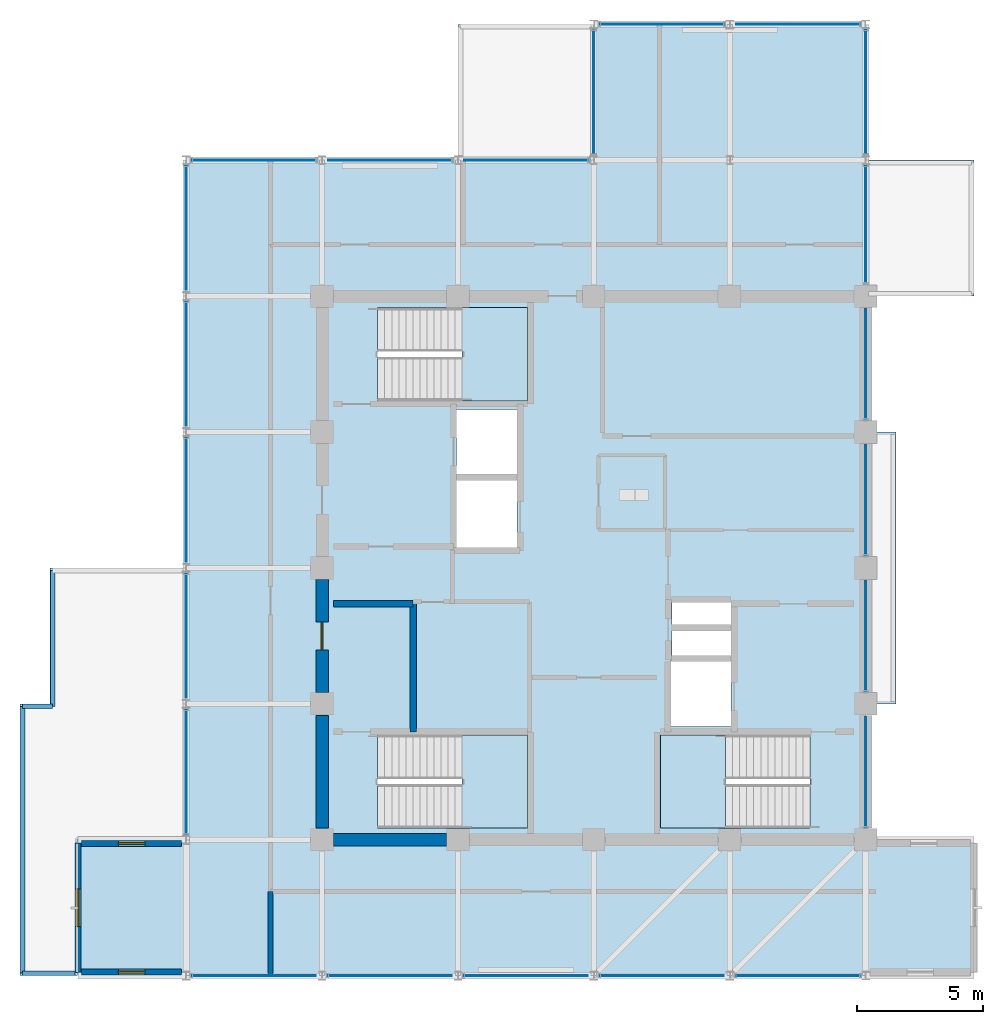
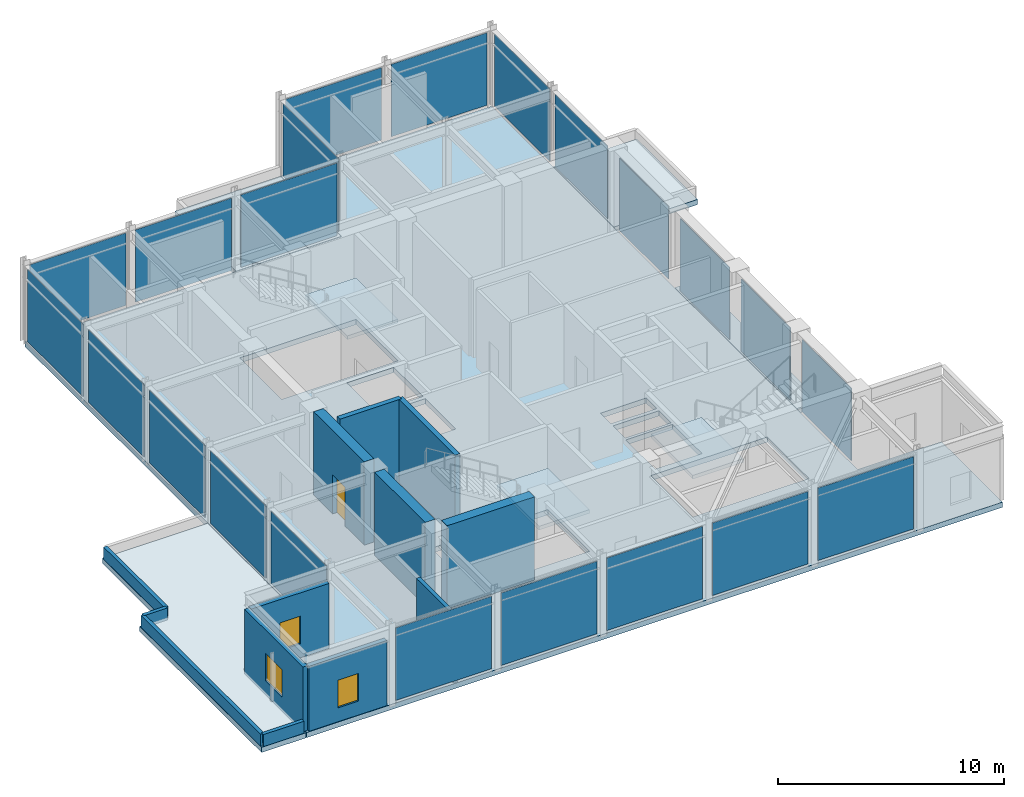
# One storey, part 12 of 18: 22 plates, 13 walls, 8 slabs, 3 windows, 1 door, 4 openings, 10 elements without a shape of their own.
"""IFC4 building model written with IfcOpenShell, lengths in metres."""

from ifc_helpers import new_model, si_unit, direction, frame, frame_2d, origin, place, context, subcontext, project, spatial, polyline, rectangle, outline, extrude, material, layer, layer_set, type_object, element, fill, aggregate, save


model = new_model("IFC4")

# Units and contexts
model_context = context("Model", 3, precision=1e-05, world=origin(), true_north=direction((0.0, 1.0)))
body_context = subcontext(model_context, "Body", "Model", "MODEL_VIEW")
ifc_project = project(units=[si_unit("LENGTHUNIT", "METRE"), si_unit("AREAUNIT", "SQUARE_METRE"), si_unit("VOLUMEUNIT", "CUBIC_METRE"), si_unit("PLANEANGLEUNIT", "RADIAN"), si_unit("MASSUNIT", "GRAM", prefix="KILO")], contexts=[model_context])

# Site, building, storey
site_placement = place(None, origin())
site = spatial("IfcSite", under=ifc_project, at=site_placement, CompositionType="ELEMENT")
building_placement = place(site_placement, origin())
building = spatial("IfcBuilding", under=site, at=building_placement, Name="Surkhivell Harbour Commons", CompositionType="ELEMENT")
storey_placement = place(building_placement, frame((0.0, 0.0, 351.0)))
storey = spatial("IfcBuildingStorey", under=building, at=storey_placement, Name="L91", CompositionType="ELEMENT", Elevation=351.0)

# Curtain wall, plate
ifc_material_1 = material(Name="Anodised pale-metal aluminium and insulated glazing", Category="aluminium")
ifc_layer_1 = layer(ifc_material_1, 0.22998046875)
ifc_layer_set_1 = layer_set([ifc_layer_1], Name="Anodised pale-metal aluminium and insulated glazing")
curtain_wall_type = type_object("IfcCurtainWallType", Name="CW-SYS-CRN", PredefinedType="NOTDEFINED", material=ifc_layer_set_1)
curtain_wall_1_placement = place(storey_placement, origin())
curtain_wall_1 = element("IfcCurtainWall", 1, at=curtain_wall_1_placement, inside=storey, type_object=curtain_wall_type, Name="L91 Curtain Wall CW-L91-C00S1", PredefinedType="NOTDEFINED")
ifc_material_2 = material(Name="Botanical conservatory clear low-iron glass", Category="glass")
ifc_layer_2 = layer(ifc_material_2, 0.033935546875)
ifc_layer_set_2 = layer_set([ifc_layer_2], Name="Botanical conservatory clear low-iron glass")
plate_type = type_object("IfcPlateType", Name="CWP-CRN-34", PredefinedType="CURTAIN_PANEL", material=ifc_layer_set_2)
plate_1_placement = place(storey_placement, frame((10.800048828125, 16.447021484375, 0.14990234375), z_axis=(0.0, 0.0, 1.0), x_axis=(0.0, 1.0, 0.0)))
plate_1 = element("IfcPlate", 2, at=plate_1_placement, type_object=plate_type, Name="CW-CRN panel 1.1", PredefinedType="CURTAIN_PANEL", context=body_context, shape_type="SweptSolid", body=[
    extrude(rectangle(XDim=4.906005859375, YDim=0.033935546875, at=frame_2d((2.453125, 0.0))), origin(), (0.0, 0.0, 1.0), 3.920166015625),
])
aggregate(curtain_wall_1, [plate_1])

# Curtain wall, plates
curtain_wall_2_placement = place(storey_placement, origin())
curtain_wall_2 = element("IfcCurtainWall", 3, at=curtain_wall_2_placement, inside=storey, type_object=curtain_wall_type, Name="L91 Curtain Wall CW-L91-C01", PredefinedType="NOTDEFINED")
plate_2_placement = place(storey_placement, frame((10.552978515625, 21.60009765625, 0.14990234375), z_axis=(0.0, 0.0, 1.0), x_axis=(-1.0, 0.0, 0.0)))
plate_2 = element("IfcPlate", 4, at=plate_2_placement, type_object=plate_type, Name="CW-CRN panel 1.1", PredefinedType="CURTAIN_PANEL", context=body_context, shape_type="SweptSolid", body=[
    extrude(rectangle(XDim=4.906005859375, YDim=0.033935546875, at=frame_2d((2.453125, 0.0))), origin(), (0.0, 0.0, 1.0), 3.920166015625),
])
plate_3_placement = place(storey_placement, frame((5.153076171875, 21.60009765625, 0.14990234375), z_axis=(0.0, 0.0, 1.0), x_axis=(-1.0, 0.0, 0.0)))
plate_3 = element("IfcPlate", 5, at=plate_3_placement, type_object=plate_type, Name="CW-CRN panel 2.1", PredefinedType="CURTAIN_PANEL", context=body_context, shape_type="SweptSolid", body=[
    extrude(rectangle(XDim=4.906005859375, YDim=0.033935546875, at=frame_2d((2.453125, 0.0))), origin(), (0.0, 0.0, 1.0), 3.920166015625),
])
aggregate(curtain_wall_2, [plate_2, plate_3])

# Curtain wall, plate
curtain_wall_3_placement = place(storey_placement, origin())
curtain_wall_3 = element("IfcCurtainWall", 6, at=curtain_wall_3_placement, inside=storey, type_object=curtain_wall_type, Name="L91 Curtain Wall CW-L91-C02S1", PredefinedType="NOTDEFINED")
plate_4_placement = place(storey_placement, frame((0.0, 21.35302734375, 0.14990234375), z_axis=(0.0, 0.0, 1.0), x_axis=(0.0, -1.0, 0.0)))
plate_4 = element("IfcPlate", 7, at=plate_4_placement, type_object=plate_type, Name="CW-CRN panel 1.1", PredefinedType="CURTAIN_PANEL", context=body_context, shape_type="SweptSolid", body=[
    extrude(rectangle(XDim=4.906005859375, YDim=0.033935546875, at=frame_2d((2.453125, 0.0))), origin(), (0.0, 0.0, 1.0), 3.920166015625),
])
aggregate(curtain_wall_3, [plate_4])

# Curtain wall, plates
curtain_wall_4_placement = place(storey_placement, origin())
curtain_wall_4 = element("IfcCurtainWall", 8, at=curtain_wall_4_placement, inside=storey, type_object=curtain_wall_type, Name="L91 Curtain Wall CW-L91-C03", PredefinedType="NOTDEFINED")
plate_5_placement = place(storey_placement, frame((-0.2470703125, 16.199951171875, 0.14990234375), z_axis=(0.0, 0.0, 1.0), x_axis=(-1.0, 0.0, 0.0)))
plate_5 = element("IfcPlate", 9, at=plate_5_placement, type_object=plate_type, Name="CW-CRN panel 1.1", PredefinedType="CURTAIN_PANEL", context=body_context, shape_type="SweptSolid", body=[
    extrude(rectangle(XDim=4.906005859375, YDim=0.033935546875, at=frame_2d((2.453125, 0.0))), origin(), (0.0, 0.0, 1.0), 3.920166015625),
])
plate_6_placement = place(storey_placement, frame((-5.64697265625, 16.199951171875, 0.14990234375), z_axis=(0.0, 0.0, 1.0), x_axis=(-1.0, 0.0, 0.0)))
plate_6 = element("IfcPlate", 10, at=plate_6_placement, type_object=plate_type, Name="CW-CRN panel 2.1", PredefinedType="CURTAIN_PANEL", context=body_context, shape_type="SweptSolid", body=[
    extrude(rectangle(XDim=4.906005859375, YDim=0.033935546875, at=frame_2d((2.453125, 0.0))), origin(), (0.0, 0.0, 1.0), 3.920166015625),
])
plate_7_placement = place(storey_placement, frame((-11.047119140625, 16.199951171875, 0.14990234375), z_axis=(0.0, 0.0, 1.0), x_axis=(-1.0, 0.0, 0.0)))
plate_7 = element("IfcPlate", 11, at=plate_7_placement, type_object=plate_type, Name="CW-CRN panel 3.1", PredefinedType="CURTAIN_PANEL", context=body_context, shape_type="SweptSolid", body=[
    extrude(rectangle(XDim=4.90576171875, YDim=0.033935546875, at=frame_2d((2.452880859375, 0.0))), origin(), (0.0, 0.0, 1.0), 3.920166015625),
])
aggregate(curtain_wall_4, [plate_5, plate_6, plate_7])

curtain_wall_5_placement = place(storey_placement, origin())
curtain_wall_5 = element("IfcCurtainWall", 12, at=curtain_wall_5_placement, inside=storey, type_object=curtain_wall_type, Name="L91 Curtain Wall CW-L91-C04S1", PredefinedType="NOTDEFINED")
plate_8_placement = place(storey_placement, frame((-16.199951171875, 15.952880859375, 0.14990234375), z_axis=(0.0, 0.0, 1.0), x_axis=(0.0, -1.0, 0.0)))
plate_8 = element("IfcPlate", 13, at=plate_8_placement, type_object=plate_type, Name="CW-CRN panel 1.1", PredefinedType="CURTAIN_PANEL", context=body_context, shape_type="SweptSolid", body=[
    extrude(rectangle(XDim=4.90576171875, YDim=0.033935546875, at=frame_2d((2.452880859375, 0.0))), origin(), (0.0, 0.0, 1.0), 3.920166015625),
])
plate_9_placement = place(storey_placement, frame((-16.199951171875, 10.552978515625, 0.14990234375), z_axis=(0.0, 0.0, 1.0), x_axis=(0.0, -1.0, 0.0)))
plate_9 = element("IfcPlate", 14, at=plate_9_placement, type_object=plate_type, Name="CW-CRN panel 2.1", PredefinedType="CURTAIN_PANEL", context=body_context, shape_type="SweptSolid", body=[
    extrude(rectangle(XDim=4.906005859375, YDim=0.033935546875, at=frame_2d((2.453125, 0.0))), origin(), (0.0, 0.0, 1.0), 3.920166015625),
])
plate_10_placement = place(storey_placement, frame((-16.199951171875, 5.153076171875, 0.14990234375), z_axis=(0.0, 0.0, 1.0), x_axis=(0.0, -1.0, 0.0)))
plate_10 = element("IfcPlate", 15, at=plate_10_placement, type_object=plate_type, Name="CW-CRN panel 3.1", PredefinedType="CURTAIN_PANEL", context=body_context, shape_type="SweptSolid", body=[
    extrude(rectangle(XDim=4.906005859375, YDim=0.033935546875, at=frame_2d((2.453125, 0.0))), origin(), (0.0, 0.0, 1.0), 3.920166015625),
])
plate_11_placement = place(storey_placement, frame((-16.199951171875, -0.2470703125, 0.14990234375), z_axis=(0.0, 0.0, 1.0), x_axis=(0.0, -1.0, 0.0)))
plate_11 = element("IfcPlate", 16, at=plate_11_placement, type_object=plate_type, Name="CW-CRN panel 4.1", PredefinedType="CURTAIN_PANEL", context=body_context, shape_type="SweptSolid", body=[
    extrude(rectangle(XDim=4.906005859375, YDim=0.033935546875, at=frame_2d((2.453125, 0.0))), origin(), (0.0, 0.0, 1.0), 3.920166015625),
])
plate_12_placement = place(storey_placement, frame((-16.199951171875, -5.64697265625, 0.14990234375), z_axis=(0.0, 0.0, 1.0), x_axis=(0.0, -1.0, 0.0)))
plate_12 = element("IfcPlate", 17, at=plate_12_placement, type_object=plate_type, Name="CW-CRN panel 5.1", PredefinedType="CURTAIN_PANEL", context=body_context, shape_type="SweptSolid", body=[
    extrude(rectangle(XDim=4.906005859375, YDim=0.033935546875, at=frame_2d((2.453125, 0.0))), origin(), (0.0, 0.0, 1.0), 3.920166015625),
])
aggregate(curtain_wall_5, [plate_8, plate_9, plate_10, plate_11, plate_12])

curtain_wall_6_placement = place(storey_placement, origin())
curtain_wall_6 = element("IfcCurtainWall", 18, at=curtain_wall_6_placement, inside=storey, type_object=curtain_wall_type, Name="L91 Curtain Wall CW-L91-C05", PredefinedType="NOTDEFINED")
plate_13_placement = place(storey_placement, frame((-15.952880859375, -16.199951171875, 0.14990234375), z_axis=(0.0, 0.0, 1.0), x_axis=(1.0, 0.0, 0.0)))
plate_13 = element("IfcPlate", 19, at=plate_13_placement, type_object=plate_type, Name="CW-CRN panel 1.1", PredefinedType="CURTAIN_PANEL", context=body_context, shape_type="SweptSolid", body=[
    extrude(rectangle(XDim=4.90576171875, YDim=0.033935546875, at=frame_2d((2.452880859375, 0.0))), origin(), (0.0, 0.0, 1.0), 3.920166015625),
])
plate_14_placement = place(storey_placement, frame((-10.552978515625, -16.199951171875, 0.14990234375), z_axis=(0.0, 0.0, 1.0), x_axis=(1.0, 0.0, 0.0)))
plate_14 = element("IfcPlate", 20, at=plate_14_placement, type_object=plate_type, Name="CW-CRN panel 2.1", PredefinedType="CURTAIN_PANEL", context=body_context, shape_type="SweptSolid", body=[
    extrude(rectangle(XDim=4.906005859375, YDim=0.033935546875, at=frame_2d((2.453125, 0.0))), origin(), (0.0, 0.0, 1.0), 3.920166015625),
])
plate_15_placement = place(storey_placement, frame((-5.153076171875, -16.199951171875, 0.14990234375), z_axis=(0.0, 0.0, 1.0), x_axis=(1.0, 0.0, 0.0)))
plate_15 = element("IfcPlate", 21, at=plate_15_placement, type_object=plate_type, Name="CW-CRN panel 3.1", PredefinedType="CURTAIN_PANEL", context=body_context, shape_type="SweptSolid", body=[
    extrude(rectangle(XDim=4.906005859375, YDim=0.033935546875, at=frame_2d((2.453125, 0.0))), origin(), (0.0, 0.0, 1.0), 3.920166015625),
])
plate_16_placement = place(storey_placement, frame((0.2470703125, -16.199951171875, 0.14990234375), z_axis=(0.0, 0.0, 1.0), x_axis=(1.0, 0.0, 0.0)))
plate_16 = element("IfcPlate", 22, at=plate_16_placement, type_object=plate_type, Name="CW-CRN panel 4.1", PredefinedType="CURTAIN_PANEL", context=body_context, shape_type="SweptSolid", body=[
    extrude(rectangle(XDim=4.906005859375, YDim=0.033935546875, at=frame_2d((2.453125, 0.0))), origin(), (0.0, 0.0, 1.0), 3.920166015625),
])
plate_17_placement = place(storey_placement, frame((5.64697265625, -16.199951171875, 0.14990234375), z_axis=(0.0, 0.0, 1.0), x_axis=(1.0, 0.0, 0.0)))
plate_17 = element("IfcPlate", 23, at=plate_17_placement, type_object=plate_type, Name="CW-CRN panel 5.1", PredefinedType="CURTAIN_PANEL", context=body_context, shape_type="SweptSolid", body=[
    extrude(rectangle(XDim=4.906005859375, YDim=0.033935546875, at=frame_2d((2.453125, 0.0))), origin(), (0.0, 0.0, 1.0), 3.920166015625),
])
aggregate(curtain_wall_6, [plate_13, plate_14, plate_15, plate_16, plate_17])

curtain_wall_7_placement = place(storey_placement, origin())
curtain_wall_7 = element("IfcCurtainWall", 24, at=curtain_wall_7_placement, inside=storey, type_object=curtain_wall_type, Name="L91 Curtain Wall CW-L91-C06S1", PredefinedType="NOTDEFINED")
plate_18_placement = place(storey_placement, frame((10.800048828125, -10.27294921875, 0.14990234375), z_axis=(0.0, 0.0, 1.0), x_axis=(0.0, 1.0, 0.0)))
plate_18 = element("IfcPlate", 25, at=plate_18_placement, type_object=plate_type, Name="CW-CRN panel 1.1", PredefinedType="CURTAIN_PANEL", context=body_context, shape_type="SweptSolid", body=[
    extrude(rectangle(XDim=4.345947265625, YDim=0.033935546875, at=frame_2d((2.1728515625, 0.0))), origin(), (0.0, 0.0, 1.0), 3.920166015625),
])
plate_19_placement = place(storey_placement, frame((10.800048828125, -4.873046875, 0.14990234375), z_axis=(0.0, 0.0, 1.0), x_axis=(0.0, 1.0, 0.0)))
plate_19 = element("IfcPlate", 26, at=plate_19_placement, type_object=plate_type, Name="CW-CRN panel 2.1", PredefinedType="CURTAIN_PANEL", context=body_context, shape_type="SweptSolid", body=[
    extrude(rectangle(XDim=4.345947265625, YDim=0.033935546875, at=frame_2d((2.1728515625, 0.0))), origin(), (0.0, 0.0, 1.0), 3.920166015625),
])
plate_20_placement = place(storey_placement, frame((10.800048828125, 0.527099609375, 0.14990234375), z_axis=(0.0, 0.0, 1.0), x_axis=(0.0, 1.0, 0.0)))
plate_20 = element("IfcPlate", 27, at=plate_20_placement, type_object=plate_type, Name="CW-CRN panel 3.1", PredefinedType="CURTAIN_PANEL", context=body_context, shape_type="SweptSolid", body=[
    extrude(rectangle(XDim=4.345947265625, YDim=0.033935546875, at=frame_2d((2.1728515625, 0.0))), origin(), (0.0, 0.0, 1.0), 3.920166015625),
])
plate_21_placement = place(storey_placement, frame((10.800048828125, 5.927001953125, 0.14990234375), z_axis=(0.0, 0.0, 1.0), x_axis=(0.0, 1.0, 0.0)))
plate_21 = element("IfcPlate", 28, at=plate_21_placement, type_object=plate_type, Name="CW-CRN panel 4.1", PredefinedType="CURTAIN_PANEL", context=body_context, shape_type="SweptSolid", body=[
    extrude(rectangle(XDim=4.345947265625, YDim=0.033935546875, at=frame_2d((2.1728515625, 0.0))), origin(), (0.0, 0.0, 1.0), 3.920166015625),
])
plate_22_placement = place(storey_placement, frame((10.800048828125, 11.326904296875, 0.14990234375), z_axis=(0.0, 0.0, 1.0), x_axis=(0.0, 1.0, 0.0)))
plate_22 = element("IfcPlate", 29, at=plate_22_placement, type_object=plate_type, Name="CW-CRN panel 5.1", PredefinedType="CURTAIN_PANEL", context=body_context, shape_type="SweptSolid", body=[
    extrude(rectangle(XDim=4.6259765625, YDim=0.033935546875, at=frame_2d((2.31298828125, 0.0))), origin(), (0.0, 0.0, 1.0), 3.920166015625),
])
aggregate(curtain_wall_7, [plate_18, plate_19, plate_20, plate_21, plate_22])

# Slabs
ifc_material_3 = material(Name="Concrete C50/60", Category="concrete")
ifc_layer_3 = layer(ifc_material_3, 0.280029296875)
ifc_layer_set_3 = layer_set([ifc_layer_3], Name="Concrete C50/60")
slab_type_1 = type_object("IfcSlabType", Name="SLB-BOXRF-280", PredefinedType="ROOF", material=ifc_layer_set_3)
slab_1_placement = place(storey_placement, frame((0.0, 0.0, -0.280029296875)))
element("IfcSlab", 30, at=slab_1_placement, inside=storey, type_object=slab_type_1, Name="L91 Closed Box-Cluster Roof Slab 1", PredefinedType="ROOF", context=body_context, shape_type="SweptSolid", body=[
    extrude(outline(polyline([(-20.52001953125, -16.199951171875), (-20.52001953125, -10.800048828125), (-20.52001953125, -10.798095703125), (-20.51953125, -10.796142578125), (-20.51904296875, -10.794189453125), (-20.5185546875, -10.792236328125), (-20.517578125, -10.79052734375), (-20.5166015625, -10.788818359375), (-20.515380859375, -10.787353515625), (-20.51416015625, -10.785888671875), (-20.5126953125, -10.784423828125), (-20.51123046875, -10.783447265625), (-20.509521484375, -10.782470703125), (-20.507568359375, -10.781494140625), (-20.505859375, -10.78076171875), (-20.50390625, -10.7802734375), (-20.501953125, -10.780029296875), (-20.5, -10.780029296875), (-16.219970703125, -10.780029296875), (-16.219970703125, 0.0), (-21.60009765625, 0.0), (-21.60009765625, -5.39990234375), (-22.800048828125, -5.39990234375), (-22.800048828125, -16.199951171875), (-20.52001953125, -16.199951171875)])), origin(), (0.0, 0.0, 1.0), 0.280029296875),
])
slab_2_placement = place(storey_placement, frame((0.0, 0.0, -0.280029296875)))
element("IfcSlab", 31, at=slab_2_placement, inside=storey, type_object=slab_type_1, Name="L91 Closed Box-Cluster Roof Slab 2", PredefinedType="ROOF", context=body_context, shape_type="SweptSolid", body=[
    extrude(outline(polyline([(-5.39990234375, 16.219970703125), (-0.02001953125, 16.219970703125), (-0.02001953125, 21.60009765625), (-5.39990234375, 21.60009765625), (-5.39990234375, 16.219970703125)])), origin(), (0.0, 0.0, 1.0), 0.280029296875),
])
slab_3_placement = place(storey_placement, frame((0.0, 0.0, -0.280029296875)))
element("IfcSlab", 32, at=slab_3_placement, inside=storey, type_object=slab_type_1, Name="L91 Closed Box-Cluster Roof Slab 3", PredefinedType="ROOF", context=body_context, shape_type="SweptSolid", body=[
    extrude(outline(polyline([(10.820068359375, 16.199951171875), (10.820068359375, 10.800048828125), (15.10009765625, 10.800048828125), (15.10009765625, 16.199951171875), (10.820068359375, 16.199951171875)])), origin(), (0.0, 0.0, 1.0), 0.280029296875),
])
slab_4_placement = place(storey_placement, frame((0.0, 0.0, -0.280029296875)))
element("IfcSlab", 33, at=slab_4_placement, inside=storey, type_object=slab_type_1, Name="L91 Closed Box-Cluster Roof Slab 4", PredefinedType="ROOF", context=body_context, shape_type="SweptSolid", body=[
    extrude(outline(polyline([(10.820068359375, 5.39990234375), (10.820068359375, -5.39990234375), (12.0, -5.39990234375), (12.0, 5.39990234375), (10.820068359375, 5.39990234375)])), origin(), (0.0, 0.0, 1.0), 0.280029296875),
])
ifc_layer_4 = layer(ifc_material_3, 0.280029296875)
ifc_layer_set_4 = layer_set([ifc_layer_4], Name="Concrete C50/60")
slab_type_2 = type_object("IfcSlabType", Name="SLB-CRN-280", PredefinedType="FLOOR", material=ifc_layer_set_4)
slab_5_placement = place(storey_placement, frame((0.0, 0.0, -0.280029296875)))
element("IfcSlab", 34, at=slab_5_placement, inside=storey, type_object=slab_type_2, Name="L91 Structural Floor Slab", PredefinedType="FLOOR", context=body_context, shape_type="SweptSolid", body=[
    extrude(outline(polyline([(-16.199951171875, -10.800048828125), (-20.5, -10.800048828125), (-20.5, -16.199951171875), (-16.199951171875, -16.199951171875), (10.800048828125, -16.199951171875), (15.10009765625, -16.199951171875), (15.10009765625, -10.800048828125), (10.800048828125, -10.800048828125), (10.800048828125, 16.199951171875), (10.800048828125, 21.60009765625), (0.0, 21.60009765625), (0.0, 16.199951171875), (-16.199951171875, 16.199951171875), (-16.199951171875, -10.800048828125)]), holes=[polyline([(-8.590087890625, 6.639892578125), (-2.639892578125, 6.639892578125), (-2.639892578125, 10.340087890625), (-8.590087890625, 10.340087890625), (-8.590087890625, 6.639892578125)]), polyline([(8.590087890625, -6.639892578125), (2.639892578125, -6.639892578125), (2.639892578125, -10.340087890625), (8.590087890625, -10.340087890625), (8.590087890625, -6.639892578125)]), polyline([(-8.590087890625, -10.340087890625), (-2.639892578125, -10.340087890625), (-2.639892578125, -6.639892578125), (-8.590087890625, -6.639892578125), (-8.590087890625, -10.340087890625)]), polyline([(-5.449951171875, 3.699951171875), (-3.050048828125, 3.699951171875), (-3.050048828125, 6.300048828125), (-5.449951171875, 6.300048828125), (-5.449951171875, 3.699951171875)]), polyline([(3.050048828125, -6.300048828125), (5.449951171875, -6.300048828125), (5.449951171875, -3.699951171875), (3.050048828125, -3.699951171875), (3.050048828125, -6.300048828125)]), polyline([(-5.449951171875, 0.800048828125), (-3.050048828125, 0.800048828125), (-3.050048828125, 3.5), (-5.449951171875, 3.5), (-5.449951171875, 0.800048828125)]), polyline([(3.10009765625, -3.550048828125), (5.449951171875, -3.550048828125), (5.449951171875, -2.47998046875), (3.10009765625, -2.47998046875), (3.10009765625, -3.550048828125)]), polyline([(3.10009765625, -2.280029296875), (5.449951171875, -2.280029296875), (5.449951171875, -1.35009765625), (3.10009765625, -1.35009765625), (3.10009765625, -2.280029296875)])]), origin(), (0.0, 0.0, 1.0), 0.280029296875),
])

# Stair, slab
ifc_material_4 = material(Name="Precast concrete C45/55", Category="concrete")
stair_type = type_object("IfcStairType", Name="STR-DL-450", PredefinedType="HALF_TURN_STAIR", material=ifc_material_4)
stair_1_placement = place(storey_placement, origin())
stair_1 = element("IfcStair", 35, at=stair_1_placement, inside=storey, type_object=stair_type, Name="L91 Core Exit Stair ST1", PredefinedType="HALF_TURN_STAIR")
ifc_material_5 = material(Name="Reinforced concrete C45/55", Category="concrete")
ifc_layer_5 = layer(ifc_material_5, 0.199951171875)
ifc_layer_set_5 = layer_set([ifc_layer_5], Name="Reinforced concrete C45/55")
slab_type_3 = type_object("IfcSlabType", Name="SLB-ST-LND200", PredefinedType="LANDING", material=ifc_layer_set_5)
slab_6_placement = place(storey_placement, frame((0.0, 0.0, 2.050048828125)))
slab_6 = element("IfcSlab", 36, at=slab_6_placement, type_object=slab_type_3, Name="ST1 landing 1", PredefinedType="LANDING", context=body_context, shape_type="SweptSolid", body=[
    extrude(outline(polyline([(-5.22998046875, 6.639892578125), (-2.639892578125, 6.639892578125), (-2.639892578125, 10.340087890625), (-5.22998046875, 10.340087890625), (-5.22998046875, 6.639892578125)])), origin(), (0.0, 0.0, 1.0), 0.199951171875),
])
aggregate(stair_1, [slab_6])

stair_2_placement = place(storey_placement, origin())
stair_2 = element("IfcStair", 37, at=stair_2_placement, inside=storey, type_object=stair_type, Name="L91 Core Exit Stair ST2", PredefinedType="HALF_TURN_STAIR")
slab_7_placement = place(storey_placement, frame((0.0, 0.0, 2.050048828125)))
slab_7 = element("IfcSlab", 38, at=slab_7_placement, type_object=slab_type_3, Name="ST2 landing 1", PredefinedType="LANDING", context=body_context, shape_type="SweptSolid", body=[
    extrude(outline(polyline([(5.22998046875, -6.639892578125), (2.639892578125, -6.639892578125), (2.639892578125, -10.340087890625), (5.22998046875, -10.340087890625), (5.22998046875, -6.639892578125)])), origin(), (0.0, 0.0, 1.0), 0.199951171875),
])
aggregate(stair_2, [slab_7])

stair_3_placement = place(storey_placement, origin())
stair_3 = element("IfcStair", 39, at=stair_3_placement, inside=storey, type_object=stair_type, Name="L91 Core Exit Stair ST3", PredefinedType="HALF_TURN_STAIR")
slab_8_placement = place(storey_placement, frame((0.0, 0.0, 2.050048828125)))
slab_8 = element("IfcSlab", 40, at=slab_8_placement, type_object=slab_type_3, Name="ST3 landing 1", PredefinedType="LANDING", context=body_context, shape_type="SweptSolid", body=[
    extrude(outline(polyline([(-5.22998046875, -10.340087890625), (-2.639892578125, -10.340087890625), (-2.639892578125, -6.639892578125), (-5.22998046875, -6.639892578125), (-5.22998046875, -10.340087890625)])), origin(), (0.0, 0.0, 1.0), 0.199951171875),
])
aggregate(stair_3, [slab_8])

# Walls
ifc_layer_6 = layer(ifc_material_3, 0.5)
ifc_layer_set_6 = layer_set([ifc_layer_6], Name="Concrete C50/60")
wall_type_1 = type_object("IfcWallType", Name="WAL-CORE-500", PredefinedType="SHEAR", material=ifc_layer_set_6)
for number, where, z_axis, x_axis, name in (
    (41, (-10.340087890625, -10.800048828125, 0.0), (0.0, 0.0, 1.0), (1.0, 0.0, 0.0), "L91 Core Shear Wall South 1"),
    (42, (-10.800048828125, -10.340087890625, 0.0), (0.0, 0.0, 1.0), (0.0, 1.0, 0.0), "L91 Core Shear Wall West 1"),
):
    element("IfcWall", number, at=place(storey_placement, frame(where, z_axis=z_axis, x_axis=x_axis)), inside=storey, type_object=wall_type_1, Name=name, PredefinedType="SHEAR", context=body_context, shape_type="SweptSolid", body=[
        extrude(rectangle(XDim=4.47998046875, YDim=0.5, at=frame_2d((2.239990234375, 0.0))), origin(), (0.0, 0.0, 1.0), 4.5),
    ])

# Wall, opening, door
wall_1_placement = place(storey_placement, frame((-10.800048828125, -4.93994140625, 0.0), z_axis=(0.0, 0.0, 1.0), x_axis=(0.0, 1.0, 0.0)))
wall_1 = element("IfcWall", 43, at=wall_1_placement, inside=storey, type_object=wall_type_1, Name="L91 Core Shear Wall West 2", PredefinedType="SHEAR", context=body_context, shape_type="SweptSolid", body=[
    extrude(rectangle(XDim=4.47998046875, YDim=0.5, at=frame_2d((2.239990234375, 0.0))), origin(), (0.0, 0.0, 1.0), 4.5),
])
opening_1_placement = place(wall_1_placement, frame((1.68994140625, 0.0, 0.0)))
opening_1 = element("IfcOpeningElement", 44, at=opening_1_placement, cuts=wall_1, Name="Opening ID-2", PredefinedType="OPENING", context=body_context, shape_type="SweptSolid", body=[
    extrude(rectangle(XDim=1.10009765625, YDim=2.10009765625, at=frame_2d((0.550048828125, 1.050048828125))), frame((0.0, 0.260009765625, 0.0), z_axis=(0.0, -1.0, 0.0), x_axis=(1.0, 0.0, 0.0)), (0.0, 0.0, 1.0), 0.52001953125),
])
ifc_material_6 = material(Name="Hardwood-veneered fire-rated door leaf", Category="wood")
door_type = type_object("IfcDoorType", Name="DOR-FD60-1100", OperationType="NOTDEFINED", PredefinedType="DOOR", material=ifc_material_6)
door_placement = place(opening_1_placement, origin())
door = element("IfcDoor", 45, at=door_placement, inside=storey, type_object=door_type, Name="L91 Stair 3 Lobby Corridor Door", OperationType="SINGLE_SWING_LEFT", OverallHeight=2.10009765625, OverallWidth=1.10009765625, PredefinedType="DOOR", context=body_context, shape_type="SweptSolid", body=[
    extrude(rectangle(XDim=1.10009765625, YDim=2.10009765625, at=frame_2d((0.550048828125, 1.050048828125))), frame((0.0, 0.02490234375, 0.0), z_axis=(0.0, -1.0, 0.0), x_axis=(1.0, 0.0, 0.0)), (0.0, 0.0, 1.0), 0.050048828125),
])
fill(opening_1, door)

# Wall, opening, window
ifc_material_7 = material(Name="Bronze-ochre cassette precast concrete C45/55", Category="concrete")
ifc_layer_7 = layer(ifc_material_7, 0.239990234375)
ifc_layer_set_7 = layer_set([ifc_layer_7], Name="Bronze-ochre cassette precast concrete C45/55")
wall_type_2 = type_object("IfcWallType", Name="WAL-EXT-OCH240", PredefinedType="STANDARD", material=ifc_layer_set_7)
wall_2_placement = place(storey_placement, frame((-20.5, -10.919921875, 0.0), z_axis=(0.0, 0.0, 1.0), x_axis=(0.0, -1.0, 0.0)))
wall_2 = element("IfcWall", 46, at=wall_2_placement, inside=storey, type_object=wall_type_2, Name="L91 Coloured Box Front Wall 02", PredefinedType="STANDARD", context=body_context, shape_type="SweptSolid", body=[
    extrude(rectangle(XDim=5.16015625, YDim=0.239990234375, at=frame_2d((2.580078125, 0.0))), origin(), (0.0, 0.0, 1.0), 3.507080078125),
])
opening_2_placement = place(wall_2_placement, frame((1.830078125, 0.0, 0.75)))
opening_2 = element("IfcOpeningElement", 47, at=opening_2_placement, cuts=wall_2, Name="Opening WN-13", PredefinedType="OPENING", context=body_context, shape_type="SweptSolid", body=[
    extrude(rectangle(XDim=1.5, YDim=1.5, at=frame_2d((0.75, 0.75))), frame((0.0, 0.1298828125, 0.0), z_axis=(0.0, -1.0, 0.0), x_axis=(1.0, 0.0, 0.0)), (0.0, 0.0, 1.0), 0.260009765625),
])
ifc_material_8 = material(Name="Thermal-break aluminium frame and double low-E glazing", Category="aluminium")
window_type_1 = type_object("IfcWindowType", Name="WIN-BOX-1500x1500", PartitioningType="SINGLE_PANEL", PredefinedType="WINDOW", material=ifc_material_8)
window_1_placement = place(opening_2_placement, origin())
window_1 = element("IfcWindow", 48, at=window_1_placement, inside=storey, type_object=window_type_1, Name="L91 Coloured Box Square Window 02-1", OverallHeight=1.5, OverallWidth=1.5, PartitioningType="SINGLE_PANEL", PredefinedType="WINDOW", context=body_context, shape_type="SweptSolid", body=[
    extrude(rectangle(XDim=1.5, YDim=1.5, at=frame_2d((0.75, 0.75))), frame((0.0, 0.030029296875, 0.0), z_axis=(0.0, -1.0, 0.0), x_axis=(1.0, 0.0, 0.0)), (0.0, 0.0, 1.0), 0.06005859375),
])
fill(opening_2, window_1)

wall_3_placement = place(storey_placement, frame((-20.360107421875, -16.06005859375, 0.0), z_axis=(0.0, 0.0, 1.0), x_axis=(1.0, 0.0, 0.0)))
wall_3 = element("IfcWall", 49, at=wall_3_placement, inside=storey, type_object=wall_type_2, Name="L91 Coloured Box Return Wall 02S", PredefinedType="STANDARD", context=body_context, shape_type="SweptSolid", body=[
    extrude(rectangle(XDim=3.986083984375, YDim=0.239990234375, at=frame_2d((1.9931640625, 0.0))), origin(), (0.0, 0.0, 1.0), 3.507080078125),
])
opening_3_placement = place(wall_3_placement, frame((1.468017578125, 0.0, 0.75)))
opening_3 = element("IfcOpeningElement", 50, at=opening_3_placement, cuts=wall_3, Name="Opening WN-11", PredefinedType="OPENING", context=body_context, shape_type="SweptSolid", body=[
    extrude(rectangle(XDim=1.050048828125, YDim=1.5, at=frame_2d((0.52490234375, 0.75))), frame((0.0, 0.1298828125, 0.0), z_axis=(0.0, -1.0, 0.0), x_axis=(1.0, 0.0, 0.0)), (0.0, 0.0, 1.0), 0.260009765625),
])
window_type_2 = type_object("IfcWindowType", Name="WIN-SER-1050x1500", PartitioningType="SINGLE_PANEL", PredefinedType="WINDOW", material=ifc_material_8)
window_2_placement = place(opening_3_placement, origin())
window_2 = element("IfcWindow", 51, at=window_2_placement, inside=storey, type_object=window_type_2, Name="L91 Coloured Box Return Window 02S", OverallHeight=1.5, OverallWidth=1.050048828125, PartitioningType="SINGLE_PANEL", PredefinedType="WINDOW", context=body_context, shape_type="SweptSolid", body=[
    extrude(rectangle(XDim=1.050048828125, YDim=1.5, at=frame_2d((0.52490234375, 0.75))), frame((0.0, 0.030029296875, 0.0), z_axis=(0.0, -1.0, 0.0), x_axis=(1.0, 0.0, 0.0)), (0.0, 0.0, 1.0), 0.06005859375),
])
fill(opening_3, window_2)

wall_4_placement = place(storey_placement, frame((-20.360107421875, -10.93994140625, 0.0), z_axis=(0.0, 0.0, 1.0), x_axis=(1.0, 0.0, 0.0)))
wall_4 = element("IfcWall", 52, at=wall_4_placement, inside=storey, type_object=wall_type_2, Name="L91 Coloured Box Return Wall 02N", PredefinedType="STANDARD", context=body_context, shape_type="SweptSolid", body=[
    extrude(rectangle(XDim=3.986083984375, YDim=0.239990234375, at=frame_2d((1.9931640625, 0.0))), origin(), (0.0, 0.0, 1.0), 3.507080078125),
])
opening_4_placement = place(wall_4_placement, frame((1.468017578125, 0.0, 0.75)))
opening_4 = element("IfcOpeningElement", 53, at=opening_4_placement, cuts=wall_4, Name="Opening WN-11", PredefinedType="OPENING", context=body_context, shape_type="SweptSolid", body=[
    extrude(rectangle(XDim=1.050048828125, YDim=1.5, at=frame_2d((0.52490234375, 0.75))), frame((0.0, 0.1298828125, 0.0), z_axis=(0.0, -1.0, 0.0), x_axis=(1.0, 0.0, 0.0)), (0.0, 0.0, 1.0), 0.260009765625),
])
window_3_placement = place(opening_4_placement, origin())
window_3 = element("IfcWindow", 54, at=window_3_placement, inside=storey, type_object=window_type_2, Name="L91 Coloured Box Return Window 02N", OverallHeight=1.5, OverallWidth=1.050048828125, PartitioningType="SINGLE_PANEL", PredefinedType="WINDOW", context=body_context, shape_type="SweptSolid", body=[
    extrude(rectangle(XDim=1.050048828125, YDim=1.5, at=frame_2d((0.52490234375, 0.75))), frame((0.0, 0.030029296875, 0.0), z_axis=(0.0, -1.0, 0.0), x_axis=(1.0, 0.0, 0.0)), (0.0, 0.0, 1.0), 0.06005859375),
])
fill(opening_4, window_3)

# Walls
ifc_material_9 = material(Name="Autoclaved aerated concrete blockwork and fire plaster", Category="masonry")
ifc_layer_8 = layer(ifc_material_9, 0.199951171875)
ifc_layer_set_8 = layer_set([ifc_layer_8], Name="Autoclaved aerated concrete blockwork and fire plaster")
wall_type_3 = type_object("IfcWallType", Name="WAL-INT-200", PredefinedType="PARTITIONING", material=ifc_layer_set_8)
wall_5_placement = place(storey_placement, frame((-12.85009765625, -16.159912109375, 0.0), z_axis=(0.0, 0.0, 1.0), x_axis=(0.0, 1.0, 0.0)))
element("IfcWall", 55, at=wall_5_placement, inside=storey, type_object=wall_type_3, Name="L91 Crown SW Corner Wall", PredefinedType="PARTITIONING", context=body_context, shape_type="SweptSolid", body=[
    extrude(rectangle(XDim=3.309814453125, YDim=0.199951171875, at=frame_2d((1.65478515625, 0.0))), origin(), (0.0, 0.0, 1.0), 3.6630859375),
])
ifc_material_10 = material(Name="Anodised aluminium and precast concrete C40/50", Category="concrete")
ifc_layer_9 = layer(ifc_material_10, 0.18505859375)
ifc_layer_set_9 = layer_set([ifc_layer_9], Name="Anodised aluminium and precast concrete C40/50")
wall_type_4 = type_object("IfcWallType", Name="WAL-PAR-185", PredefinedType="PARAPET", material=ifc_layer_set_9)
wall_6_placement = place(storey_placement, frame((-21.5, -0.10009765625, 0.0), z_axis=(0.0, 0.0, 1.0), x_axis=(0.0, -1.0, 0.0)))
element("IfcWall", 56, at=wall_6_placement, inside=storey, type_object=wall_type_4, Name="L91 Box Roof Coping Parapet 1-2", PredefinedType="PARAPET", context=body_context, shape_type="SweptSolid", body=[
    extrude(rectangle(XDim=5.39990234375, YDim=0.18505859375, at=frame_2d((2.699951171875, 0.0))), origin(), (0.0, 0.0, 1.0), 0.64990234375),
])
wall_7_placement = place(storey_placement, frame((-21.5, -5.5, 0.0), z_axis=(0.0, 0.0, 1.0), x_axis=(-1.0, 0.0, 0.0)))
element("IfcWall", 57, at=wall_7_placement, inside=storey, type_object=wall_type_4, Name="L91 Box Roof Coping Parapet 1-3", PredefinedType="PARAPET", context=body_context, shape_type="SweptSolid", body=[
    extrude(rectangle(XDim=1.199951171875, YDim=0.18505859375, at=frame_2d((0.60009765625, 0.0))), origin(), (0.0, 0.0, 1.0), 0.64990234375),
])
wall_8_placement = place(storey_placement, frame((-22.699951171875, -5.5, 0.0), z_axis=(0.0, 0.0, 1.0), x_axis=(0.0, -1.0, 0.0)))
element("IfcWall", 58, at=wall_8_placement, inside=storey, type_object=wall_type_4, Name="L91 Box Roof Coping Parapet 1-4", PredefinedType="PARAPET", context=body_context, shape_type="SweptSolid", body=[
    extrude(rectangle(XDim=10.60009765625, YDim=0.18505859375, at=frame_2d((5.300048828125, 0.0))), origin(), (0.0, 0.0, 1.0), 0.64990234375),
])
wall_9_placement = place(storey_placement, frame((-22.699951171875, -16.10009765625, 0.0), z_axis=(0.0, 0.0, 1.0), x_axis=(1.0, 0.0, 0.0)))
element("IfcWall", 59, at=wall_9_placement, inside=storey, type_object=wall_type_4, Name="L91 Box Roof Coping Parapet 1-5", PredefinedType="PARAPET", context=body_context, shape_type="SweptSolid", body=[
    extrude(rectangle(XDim=2.079833984375, YDim=0.18505859375, at=frame_2d((1.0400390625, 0.0))), origin(), (0.0, 0.0, 1.0), 0.64990234375),
])
ifc_layer_10 = layer(ifc_material_3, 0.25)
ifc_layer_set_10 = layer_set([ifc_layer_10], Name="Concrete C50/60")
wall_type_5 = type_object("IfcWallType", Name="WAL-SHAFT-250", PredefinedType="SHEAR", material=ifc_layer_set_10)
wall_10_placement = place(storey_placement, frame((-7.179931640625, -6.510009765625, 0.0), z_axis=(0.0, 0.0, 1.0), x_axis=(0.0, 1.0, 0.0)))
element("IfcWall", 60, at=wall_10_placement, inside=storey, type_object=wall_type_5, Name="L91 Stair 3 Lobby East Wall", PredefinedType="SHEAR", context=body_context, shape_type="SweptSolid", body=[
    extrude(rectangle(XDim=5.090087890625, YDim=0.25, at=frame_2d((2.544921875, 0.0))), origin(), (0.0, 0.0, 1.0), 4.5),
])
wall_11_placement = place(storey_placement, frame((-10.340087890625, -1.419921875, 0.0), z_axis=(0.0, 0.0, 1.0), x_axis=(1.0, 0.0, 0.0)))
element("IfcWall", 61, at=wall_11_placement, inside=storey, type_object=wall_type_5, Name="L91 Stair 3 Lobby North Wall", PredefinedType="SHEAR", context=body_context, shape_type="SweptSolid", body=[
    extrude(rectangle(XDim=3.16015625, YDim=0.25, at=frame_2d((1.580078125, 0.0))), origin(), (0.0, 0.0, 1.0), 4.5),
])

save(model, "model.ifc")
